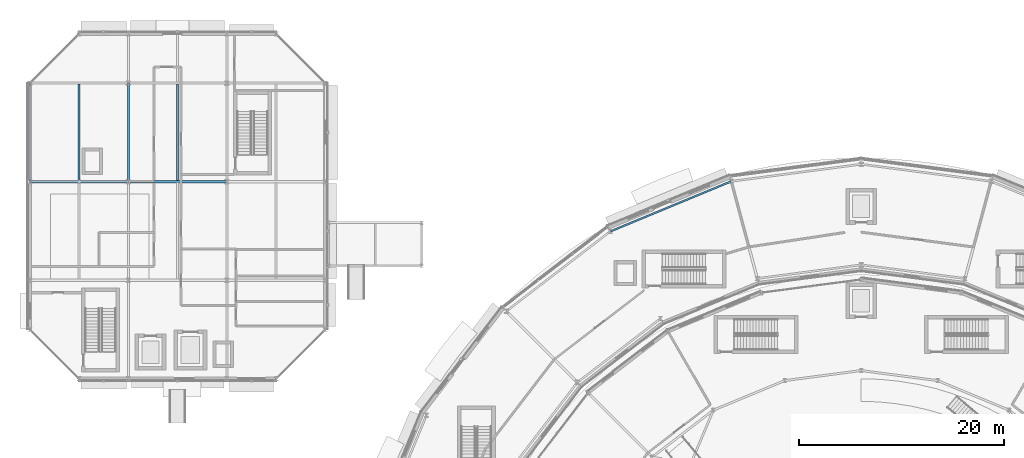
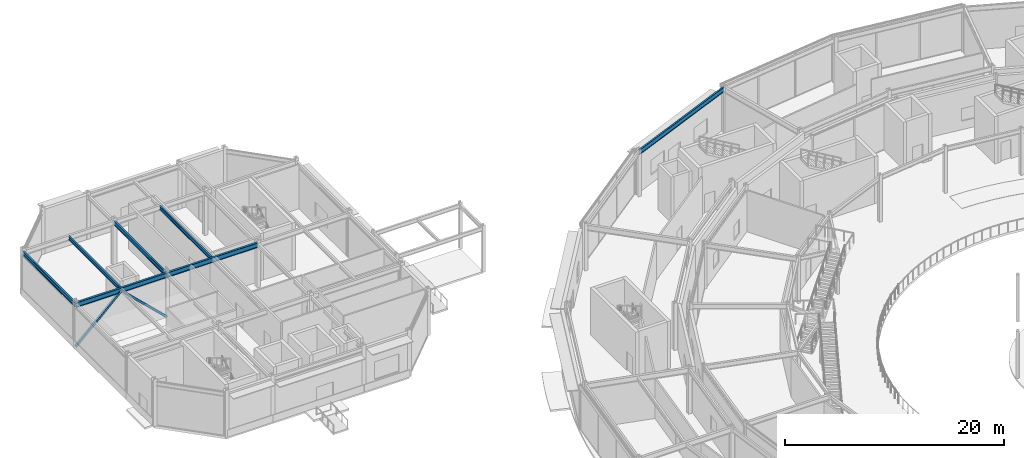
# One storey, part 72 of 168: 7 beams, 2 members.
"""IFC4 building model written with IfcOpenShell, lengths in metres."""

from ifc_helpers import new_model, si_unit, direction, frame, origin, origin_2d, place, context, subcontext, project, spatial, hollow_rectangle, i_section, extrude, material, material_profile, profile_set, type_object, element, save


model = new_model("IFC4")

# Units and contexts
model_context = context("Model", 3, precision=1e-05, world=origin(), true_north=direction((0.0, 1.0)))
body_context = subcontext(model_context, "Body", "Model", "MODEL_VIEW")
ifc_project = project(units=[si_unit("LENGTHUNIT", "METRE"), si_unit("AREAUNIT", "SQUARE_METRE"), si_unit("VOLUMEUNIT", "CUBIC_METRE"), si_unit("PLANEANGLEUNIT", "RADIAN"), si_unit("MASSUNIT", "GRAM", prefix="KILO")], contexts=[model_context])

# Site, building, storey
site_placement = place(None, origin())
site = spatial("IfcSite", under=ifc_project, at=site_placement, CompositionType="ELEMENT")
building_placement = place(site_placement, origin())
building = spatial("IfcBuilding", under=site, at=building_placement, Name="Almandine Court Research Institute", CompositionType="ELEMENT")
storey_placement = place(building_placement, origin())
storey = spatial("IfcBuildingStorey", under=building, at=storey_placement, Name="L00", CompositionType="ELEMENT", Elevation=0.0)

# Beams
ifc_material_1 = material(Name="Steel ASTM A992 Grade 50", Category="steel")
ifc_material_profile_1 = material_profile(ifc_material_1, i_section(OverallWidth=0.18994140625, OverallDepth=0.45703125, WebThickness=0.009033203125, FlangeThickness=0.014892578125, at=origin_2d()), Name="W460x74")
ifc_profile_set_1 = profile_set([ifc_material_profile_1], Name="Steel ASTM A992 Grade 50")
beam_type_1 = type_object("IfcBeamType", Name="Beam-B-01", PredefinedType="BEAM", material=ifc_profile_set_1)
beam_1_placement = place(storey_placement, frame((15.60009765625, 103.199951171875, 4.700927734375), z_axis=(0.0, 1.0, 0.0), x_axis=(-1.0, 0.0, 0.0)))
element("IfcBeam", 1, at=beam_1_placement, inside=storey, type_object=beam_type_1, Name="L00 V3 Primary Y Girder", PredefinedType="BEAM", context=body_context, shape_type="SweptSolid", body=[
    extrude(i_section(OverallWidth=0.18994140625, OverallDepth=0.45703125, WebThickness=0.009033203125, FlangeThickness=0.014892578125, at=origin_2d()), origin(), (0.0, 0.0, 1.0), 9.60009765625),
])
ifc_material_profile_2 = material_profile(ifc_material_1, i_section(OverallWidth=0.178955078125, OverallDepth=0.409912109375, WebThickness=0.009033203125, FlangeThickness=0.013916015625, at=origin_2d()), Name="W410x67")
ifc_profile_set_2 = profile_set([ifc_material_profile_2], Name="Steel ASTM A992 Grade 50")
beam_type_2 = type_object("IfcBeamType", Name="Beam-B-02", PredefinedType="JOIST", material=ifc_profile_set_2)
for number, where, z_axis, x_axis, name in (
    (2, (10.800048828125, 103.302978515625, 4.72509765625), (0.0, 1.0, 0.0), (-1.0, 0.0, 0.0), "L00 V3 Composite Secondary Beam"),
    (3, (20.39990234375, 103.302978515625, 4.72509765625), (0.0, 1.0, 0.0), (-1.0, 0.0, 0.0), "L00 V3 Composite Secondary Beam"),
):
    element("IfcBeam", number, at=place(storey_placement, frame(where, z_axis=z_axis, x_axis=x_axis)), inside=storey, type_object=beam_type_2, Name=name, PredefinedType="JOIST", context=body_context, shape_type="SweptSolid", body=[
        extrude(i_section(OverallWidth=0.178955078125, OverallDepth=0.409912109375, WebThickness=0.009033203125, FlangeThickness=0.013916015625, at=origin_2d()), origin(), (0.0, 0.0, 1.0), 9.39404296875),
    ])
ifc_material_profile_3 = material_profile(ifc_material_1, i_section(OverallWidth=0.2109375, OverallDepth=0.5390625, WebThickness=0.011962890625, FlangeThickness=0.01904296875, at=origin_2d()), Name="W530x109")
ifc_profile_set_3 = profile_set([ifc_material_profile_3], Name="Steel ASTM A992 Grade 50")
beam_type_3 = type_object("IfcBeamType", Name="Beam-G-04", PredefinedType="BEAM", material=ifc_profile_set_3)
beam_2_placement = place(storey_placement, frame((6.0, 103.199951171875, 4.659912109375), z_axis=(1.0, 0.0, 0.0), x_axis=(0.0, 1.0, 0.0)))
element("IfcBeam", 4, at=beam_2_placement, inside=storey, type_object=beam_type_3, Name="L00 V3 Primary X Girder", PredefinedType="BEAM", context=body_context, shape_type="SweptSolid", body=[
    extrude(i_section(OverallWidth=0.2109375, OverallDepth=0.5390625, WebThickness=0.011962890625, FlangeThickness=0.01904296875, at=origin_2d()), origin(), (0.0, 0.0, 1.0), 9.60009765625),
])
beam_3_placement = place(storey_placement, frame((15.60009765625, 103.199951171875, 4.659912109375), z_axis=(1.0, 0.0, 0.0), x_axis=(0.0, 1.0, 0.0)))
element("IfcBeam", 5, at=beam_3_placement, inside=storey, type_object=beam_type_3, Name="L00 V3 Primary X Girder", PredefinedType="BEAM", context=body_context, shape_type="SweptSolid", body=[
    extrude(i_section(OverallWidth=0.2109375, OverallDepth=0.5390625, WebThickness=0.011962890625, FlangeThickness=0.01904296875, at=origin_2d()), origin(), (0.0, 0.0, 1.0), 9.599853515625),
])
ifc_material_profile_4 = material_profile(ifc_material_1, i_section(OverallWidth=0.166015625, OverallDepth=0.534912109375, WebThickness=0.010009765625, FlangeThickness=0.01708984375, at=origin_2d()), Name="W530x85")
ifc_profile_set_4 = profile_set([ifc_material_profile_4], Name="Steel ASTM A992 Grade 50")
beam_type_4 = type_object("IfcBeamType", Name="Beam-G-05-E", PredefinedType="SPANDREL", material=ifc_profile_set_4)
beam_4_placement = place(storey_placement, frame((74.343994140625, 103.23388671875, 4.802978515625), z_axis=(-0.923891897665, -0.382653578879, 0.0), x_axis=(0.382653578879, -0.923891897665, 0.0)))
element("IfcBeam", 6, at=beam_4_placement, inside=storey, type_object=beam_type_4, Name="L00 Drum OUT Ring Beam 07", PredefinedType="SPANDREL", context=body_context, shape_type="SweptSolid", body=[
    extrude(i_section(OverallWidth=0.166015625, OverallDepth=0.534912109375, WebThickness=0.010009765625, FlangeThickness=0.01708984375, at=origin_2d()), origin(), (0.0, 0.0, 1.0), 12.765625),
])
ifc_material_profile_5 = material_profile(ifc_material_1, i_section(OverallWidth=0.193115234375, OverallDepth=0.466064453125, WebThickness=0.010986328125, FlangeThickness=0.01904296875, at=origin_2d()), Name="W460x97")
ifc_profile_set_5 = profile_set([ifc_material_profile_5], Name="Steel ASTM A992 Grade 50")
beam_type_5 = type_object("IfcBeamType", Name="Beam-G-06-E", PredefinedType="SPANDREL", material=ifc_profile_set_5)
beam_5_placement = place(storey_placement, frame((6.0, 103.199951171875, 4.697021484375), z_axis=(0.0, 1.0, 0.0), x_axis=(-1.0, 0.0, 0.0)))
element("IfcBeam", 7, at=beam_5_placement, inside=storey, type_object=beam_type_5, Name="L00 V3 Primary Y Girder", PredefinedType="SPANDREL", context=body_context, shape_type="SweptSolid", body=[
    extrude(i_section(OverallWidth=0.193115234375, OverallDepth=0.466064453125, WebThickness=0.010986328125, FlangeThickness=0.01904296875, at=origin_2d()), origin(), (0.0, 0.0, 1.0), 9.60009765625),
])

# Members
ifc_material_2 = material(Name="Steel ASTM A500 Grade C", Category="steel")
ifc_material_profile_6 = material_profile(ifc_material_2, hollow_rectangle(XDim=0.219970703125, YDim=0.219970703125, WallThickness=0.010009765625, at=origin_2d()), Name="HSS 220x220x10")
ifc_profile_set_6 = profile_set([ifc_material_profile_6], Name="Steel ASTM A500 Grade C")
member_type = type_object("IfcMemberType", Name="Mem-BF-BR1", PredefinedType="BRACE", material=ifc_profile_set_6)
for number, where, z_axis, x_axis, name in (
    (8, (6.0, 103.199951171875, 0.02001953125), (0.72273685277, 0.0, 0.691123318698), (0.0, 1.0, 0.0), "L00 Seismic Chevron Brace V3-BF1 Left"),
    (9, (15.60009765625, 103.199951171875, 0.02001953125), (-0.72273685277, 0.0, 0.691123318698), (0.0, -1.0, 0.0), "L00 Seismic Chevron Brace V3-BF1 Right"),
):
    element("IfcMember", number, at=place(storey_placement, frame(where, z_axis=z_axis, x_axis=x_axis)), inside=storey, type_object=member_type, Name=name, PredefinedType="BRACE", context=body_context, shape_type="SweptSolid", body=[
        extrude(hollow_rectangle(XDim=0.219970703125, YDim=0.219970703125, WallThickness=0.010009765625, at=origin_2d()), origin(), (0.0, 0.0, 1.0), 6.6416015625),
    ])

save(model, "model.ifc")
